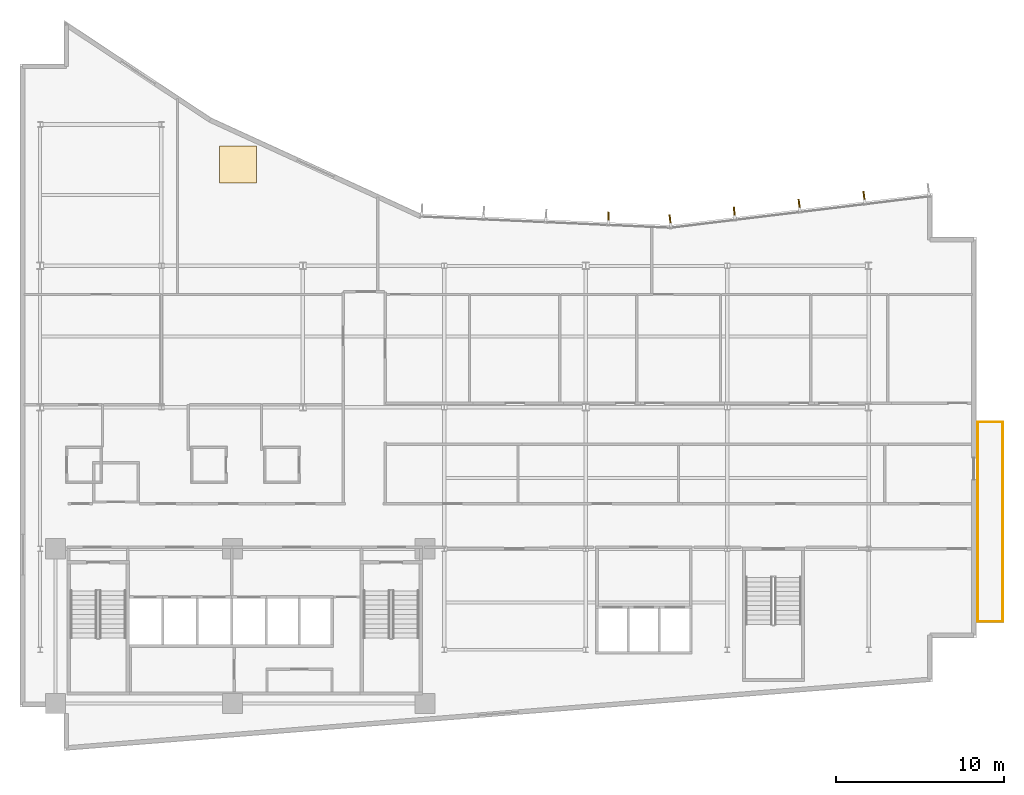
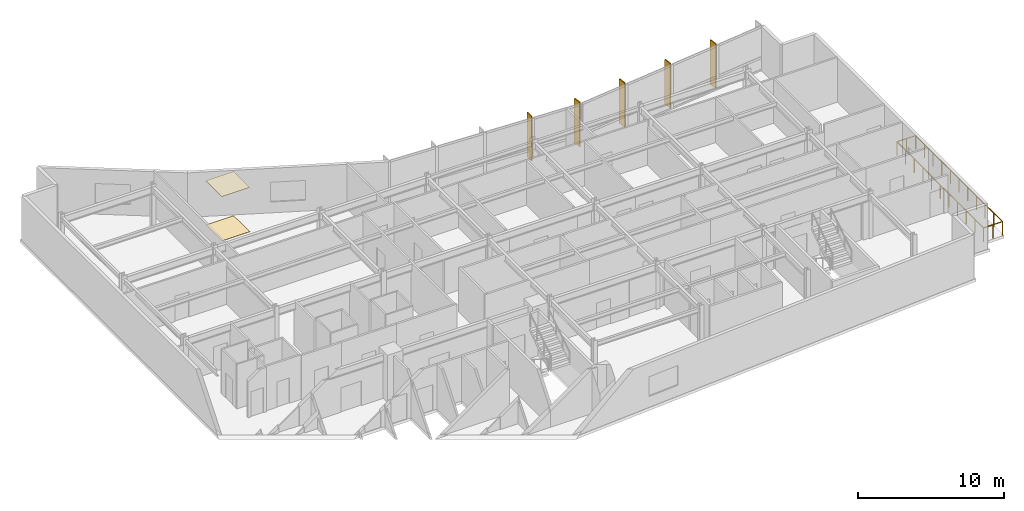
# One storey, part 16 of 18: 5 shading devices, 4 railings, 2 coverings.
"""IFC4 building model written with IfcOpenShell, lengths in metres."""

from ifc_helpers import new_model, si_unit, direction, frame, origin, origin_2d, place, context, subcontext, project, spatial, rectangle, circle, extrude, material, layer, layer_set, type_object, element, save


model = new_model("IFC4")

# Units and contexts
model_context = context("Model", 3, precision=1e-05, world=origin(), true_north=direction((0.0, 1.0)))
body_context = subcontext(model_context, "Body", "Model", "MODEL_VIEW")
ifc_project = project(units=[si_unit("LENGTHUNIT", "METRE"), si_unit("AREAUNIT", "SQUARE_METRE"), si_unit("VOLUMEUNIT", "CUBIC_METRE"), si_unit("PLANEANGLEUNIT", "RADIAN"), si_unit("MASSUNIT", "GRAM", prefix="KILO")], contexts=[model_context])

# Site, building, storey
site_placement = place(None, origin())
site = spatial("IfcSite", under=ifc_project, at=site_placement, CompositionType="ELEMENT")
building_placement = place(site_placement, origin())
building = spatial("IfcBuilding", under=site, at=building_placement, Name="Varnakote Quay Hospital", CompositionType="ELEMENT")
storey_placement = place(building_placement, frame((0.0, 0.0, 150.75)))
storey = spatial("IfcBuildingStorey", under=building, at=storey_placement, Name="L37", CompositionType="ELEMENT", Elevation=150.75)

# Coverings
ifc_material_1 = material(Name="Antimicrobial acoustic mineral ceiling tile", Category="gypsum")
ifc_layer_1 = layer(ifc_material_1, 0.02490234375)
ifc_layer_set_1 = layer_set([ifc_layer_1], Name="Antimicrobial acoustic mineral ceiling tile")
covering_type_1 = type_object("IfcCoveringType", Name="COV-CLIN-CEIL-25", PredefinedType="CEILING", material=ifc_layer_set_1)
covering_1_placement = place(storey_placement, frame((12.93896484375, 34.823974609375, 3.68505859375), z_axis=(0.0, 0.0, 1.0), x_axis=(1.0, 0.0, 0.0)))
element("IfcCovering", 1, at=covering_1_placement, inside=storey, type_object=covering_type_1, Name="L37 Antimicrobial Acoustic Ceiling Tile", PredefinedType="CEILING", context=body_context, shape_type="SweptSolid", body=[
    extrude(rectangle(XDim=2.199951171875, YDim=2.199951171875, at=origin_2d()), origin(), (0.0, 0.0, 1.0), 0.02490234375),
])
ifc_material_2 = material(Name="Seamless clinical sheet vinyl flooring")
ifc_layer_2 = layer(ifc_material_2, 0.011962890625)
ifc_layer_set_2 = layer_set([ifc_layer_2], Name="Seamless clinical sheet vinyl flooring")
covering_type_2 = type_object("IfcCoveringType", Name="COV-CLIN-VINYL-12", PredefinedType="FLOORING", material=ifc_layer_set_2)
covering_2_placement = place(storey_placement, frame((12.93896484375, 34.823974609375, 0.0), z_axis=(0.0, 0.0, 1.0), x_axis=(1.0, 0.0, 0.0)))
element("IfcCovering", 2, at=covering_2_placement, inside=storey, type_object=covering_type_2, Name="L37 Seamless Clinical Vinyl Flooring", PredefinedType="FLOORING", context=body_context, shape_type="SweptSolid", body=[
    extrude(rectangle(XDim=2.199951171875, YDim=2.199951171875, at=origin_2d()), origin(), (0.0, 0.0, 1.0), 0.011962890625),
])

# Railings
ifc_material_3 = material(Name="Anodised aluminium 6063-T6 Bronze", Category="aluminium")
railing_type = type_object("IfcRailingType", Name="RLG-EXT-GUARD-1150", PredefinedType="GUARDRAIL", material=ifc_material_3)
railing_1_placement = place(storey_placement, frame((56.8759765625, 7.679931640625, 0.0)))
element("IfcRailing", 3, at=railing_1_placement, inside=storey, type_object=railing_type, Name="L37 Zigzag Prow Healing Terrace Safety Guard", PredefinedType="GUARDRAIL", context=body_context, shape_type="SweptSolid", body=[
    extrude(circle(Radius=0.02392578125, at=origin_2d()), frame((0.0, 0.0, 1.1259765625), z_axis=(0.0, 1.0, 0.0), x_axis=(-1.0, 0.0, 0.0)), (0.0, 0.0, 1.0), 11.840087890625),
    extrude(circle(Radius=0.02099609375, at=origin_2d()), origin(), (0.0, 0.0, 1.0), 1.101806640625),
    extrude(circle(Radius=0.02099609375, at=origin_2d()), frame((0.0, 1.18408203125, 0.0)), (0.0, 0.0, 1.0), 1.101806640625),
    extrude(circle(Radius=0.02099609375, at=origin_2d()), frame((0.0, 2.367919921875, 0.0)), (0.0, 0.0, 1.0), 1.101806640625),
    extrude(circle(Radius=0.02099609375, at=origin_2d()), frame((0.0, 3.552001953125, 0.0)), (0.0, 0.0, 1.0), 1.101806640625),
    extrude(circle(Radius=0.02099609375, at=origin_2d()), frame((0.0, 4.736083984375, 0.0)), (0.0, 0.0, 1.0), 1.101806640625),
    extrude(circle(Radius=0.02099609375, at=origin_2d()), frame((0.0, 5.919921875, 0.0)), (0.0, 0.0, 1.0), 1.101806640625),
    extrude(circle(Radius=0.02099609375, at=origin_2d()), frame((0.0, 7.10400390625, 0.0)), (0.0, 0.0, 1.0), 1.101806640625),
    extrude(circle(Radius=0.02099609375, at=origin_2d()), frame((0.0, 8.2880859375, 0.0)), (0.0, 0.0, 1.0), 1.101806640625),
    extrude(circle(Radius=0.02099609375, at=origin_2d()), frame((0.0, 9.47216796875, 0.0)), (0.0, 0.0, 1.0), 1.101806640625),
    extrude(circle(Radius=0.02099609375, at=origin_2d()), frame((0.0, 10.656005859375, 0.0)), (0.0, 0.0, 1.0), 1.101806640625),
    extrude(circle(Radius=0.02099609375, at=origin_2d()), frame((0.0, 11.840087890625, 0.0)), (0.0, 0.0, 1.0), 1.101806640625),
])
railing_2_placement = place(storey_placement, frame((56.8759765625, 19.52001953125, 0.0)))
element("IfcRailing", 4, at=railing_2_placement, inside=storey, type_object=railing_type, Name="L37 Zigzag Prow Healing Terrace Safety Guard", PredefinedType="GUARDRAIL", context=body_context, shape_type="SweptSolid", body=[
    extrude(circle(Radius=0.02392578125, at=origin_2d()), frame((0.0, 0.0, 1.1259765625), z_axis=(1.0, 0.0, 0.0), x_axis=(0.0, 1.0, 0.0)), (0.0, 0.0, 1.0), 1.484130859375),
    extrude(circle(Radius=0.02099609375, at=origin_2d()), origin(), (0.0, 0.0, 1.0), 1.101806640625),
    extrude(circle(Radius=0.02099609375, at=origin_2d()), frame((0.7421875, 0.0, 0.0)), (0.0, 0.0, 1.0), 1.101806640625),
    extrude(circle(Radius=0.02099609375, at=origin_2d()), frame((1.484130859375, 0.0, 0.0)), (0.0, 0.0, 1.0), 1.101806640625),
])
railing_3_placement = place(storey_placement, frame((58.360107421875, 19.52001953125, 0.0)))
element("IfcRailing", 5, at=railing_3_placement, inside=storey, type_object=railing_type, Name="L37 Zigzag Prow Healing Terrace Safety Guard", PredefinedType="GUARDRAIL", context=body_context, shape_type="SweptSolid", body=[
    extrude(circle(Radius=0.02392578125, at=origin_2d()), frame((0.0, 0.0, 1.1259765625), z_axis=(0.0, -1.0, 0.0), x_axis=(1.0, 0.0, 0.0)), (0.0, 0.0, 1.0), 11.840087890625),
    extrude(circle(Radius=0.02099609375, at=origin_2d()), origin(), (0.0, 0.0, 1.0), 1.101806640625),
    extrude(circle(Radius=0.02099609375, at=origin_2d()), frame((0.0, -1.18408203125, 0.0)), (0.0, 0.0, 1.0), 1.101806640625),
    extrude(circle(Radius=0.02099609375, at=origin_2d()), frame((0.0, -2.367919921875, 0.0)), (0.0, 0.0, 1.0), 1.101806640625),
    extrude(circle(Radius=0.02099609375, at=origin_2d()), frame((0.0, -3.552001953125, 0.0)), (0.0, 0.0, 1.0), 1.101806640625),
    extrude(circle(Radius=0.02099609375, at=origin_2d()), frame((0.0, -4.736083984375, 0.0)), (0.0, 0.0, 1.0), 1.101806640625),
    extrude(circle(Radius=0.02099609375, at=origin_2d()), frame((0.0, -5.919921875, 0.0)), (0.0, 0.0, 1.0), 1.101806640625),
    extrude(circle(Radius=0.02099609375, at=origin_2d()), frame((0.0, -7.10400390625, 0.0)), (0.0, 0.0, 1.0), 1.101806640625),
    extrude(circle(Radius=0.02099609375, at=origin_2d()), frame((0.0, -8.2880859375, 0.0)), (0.0, 0.0, 1.0), 1.101806640625),
    extrude(circle(Radius=0.02099609375, at=origin_2d()), frame((0.0, -9.47216796875, 0.0)), (0.0, 0.0, 1.0), 1.101806640625),
    extrude(circle(Radius=0.02099609375, at=origin_2d()), frame((0.0, -10.656005859375, 0.0)), (0.0, 0.0, 1.0), 1.101806640625),
    extrude(circle(Radius=0.02099609375, at=origin_2d()), frame((0.0, -11.840087890625, 0.0)), (0.0, 0.0, 1.0), 1.101806640625),
])
railing_4_placement = place(storey_placement, frame((58.360107421875, 7.679931640625, 0.0)))
element("IfcRailing", 6, at=railing_4_placement, inside=storey, type_object=railing_type, Name="L37 Zigzag Prow Healing Terrace Safety Guard", PredefinedType="GUARDRAIL", context=body_context, shape_type="SweptSolid", body=[
    extrude(circle(Radius=0.02392578125, at=origin_2d()), frame((0.0, 0.0, 1.1259765625), z_axis=(-1.0, 0.0, 0.0), x_axis=(0.0, -1.0, 0.0)), (0.0, 0.0, 1.0), 1.484130859375),
    extrude(circle(Radius=0.02099609375, at=origin_2d()), origin(), (0.0, 0.0, 1.0), 1.101806640625),
    extrude(circle(Radius=0.02099609375, at=origin_2d()), frame((-0.7421875, 0.0, 0.0)), (0.0, 0.0, 1.0), 1.101806640625),
    extrude(circle(Radius=0.02099609375, at=origin_2d()), frame((-1.484130859375, 0.0, 0.0)), (0.0, 0.0, 1.0), 1.101806640625),
])

# Shading devices
ifc_material_4 = material(Name="Anodised aluminium 6063-T6 Bronze", Category="aluminium")
ifc_layer_3 = layer(ifc_material_4, 0.0849609375)
ifc_layer_set_3 = layer_set([ifc_layer_3], Name="Anodised aluminium 6063-T6 Bronze")
shading_device_type = type_object("IfcShadingDeviceType", Name="SHD-BRONZE-FIN-620", PredefinedType="USERDEFINED", material=ifc_layer_set_3)
for number, where, z_axis, x_axis, name in (
    (7, (50.131103515625, 32.9189453125, 0.0), (0.0, 0.0, 1.0), (0.120310105847, -0.992736358975, 0.0), "L37 Anodised Bronze Vertical Shading FIN"),
    (8, (46.278564453125, 32.4521484375, 0.0), (0.0, 0.0, 1.0), (0.120310105847, -0.992736358975, 0.0), "L37 Anodised Bronze Vertical Shading FIN"),
    (9, (42.426025390625, 31.985107421875, 0.0), (0.0, 0.0, 1.0), (0.120310105847, -0.992736358975, 0.0), "L37 Anodised Bronze Vertical Shading FIN"),
    (10, (38.61083984375, 31.522705078125, 0.0), (0.0, 0.0, 1.0), (0.120310105847, -0.992736358975, 0.0), "L37 Anodised Bronze Vertical Shading FIN"),
    (11, (34.947998046875, 31.68701171875, 0.0), (0.0, 0.0, 1.0), (-0.044839922168, -0.998994184858, 0.0), "L37 Anodised Bronze Vertical Shading FIN"),
):
    element("IfcShadingDevice", number, at=place(storey_placement, frame(where, z_axis=z_axis, x_axis=x_axis)), inside=storey, type_object=shading_device_type, Name=name, ObjectType="FIN", PredefinedType="USERDEFINED", context=body_context, shape_type="SweptSolid", body=[
        extrude(rectangle(XDim=0.6201171875, YDim=0.0849609375, at=origin_2d()), origin(), (0.0, 0.0, 1.0), 3.7099609375),
    ])

save(model, "model.ifc")
